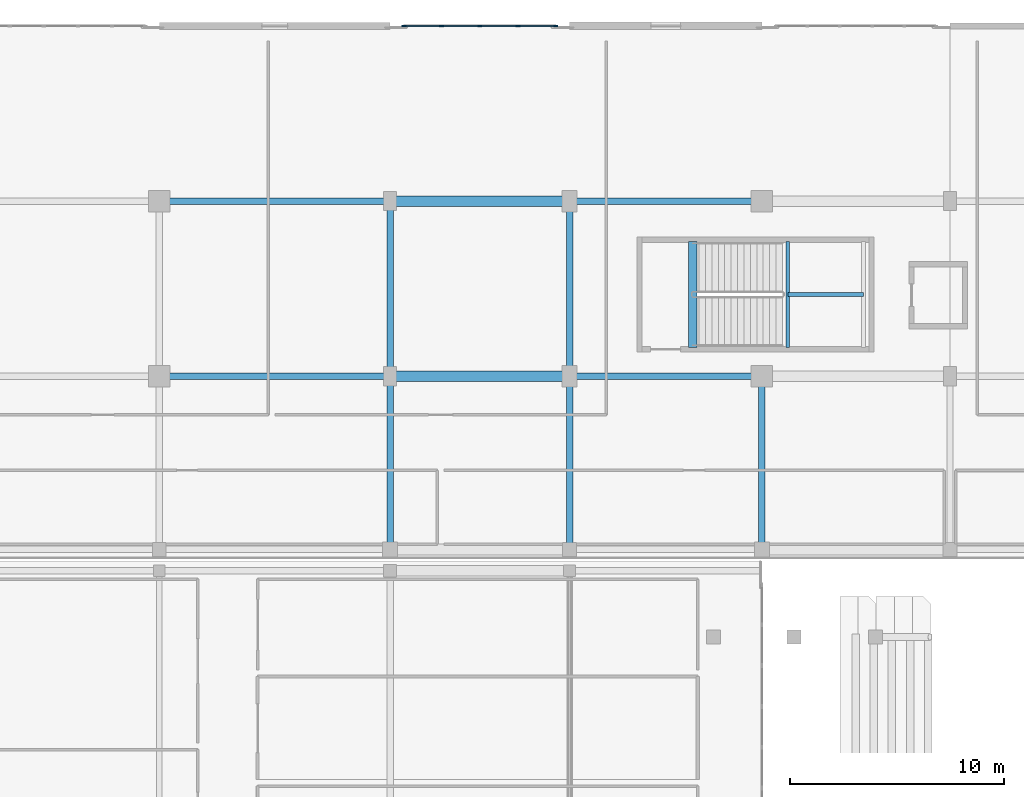
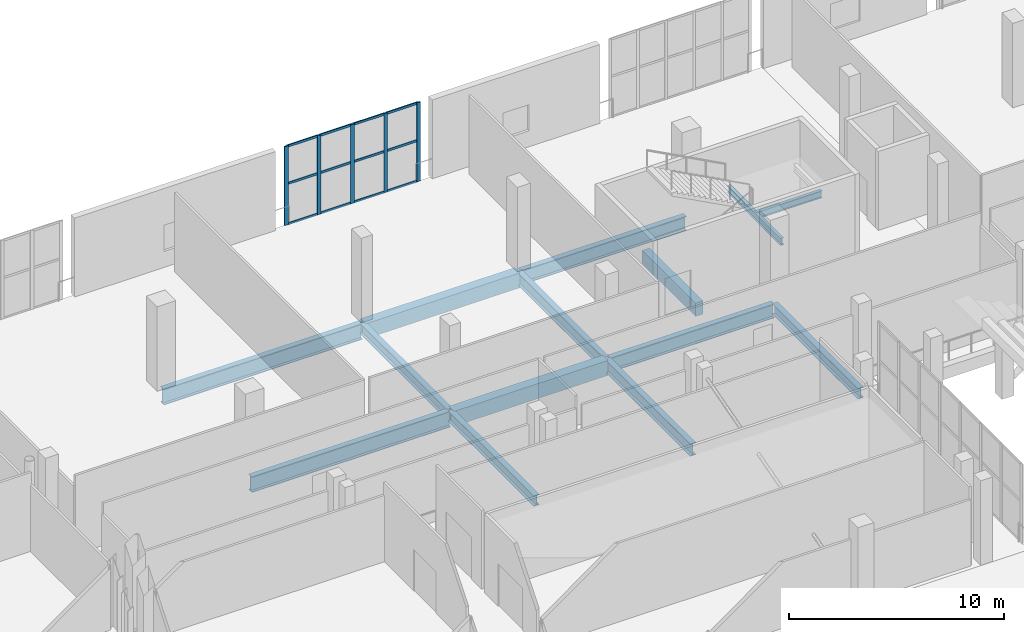
# One storey, part 63 of 142: 17 members, 14 beams, 1 element without a shape of its own.
"""IFC4 building model written with IfcOpenShell, lengths in metres."""

import ifcopenshell
import ifcopenshell.guid

model = None  # the IFC model being written
_history = None  # IfcOwnerHistory: only IFC2X3 demands one
_inside = {}  # id of a spatial element -> (the spatial element, [elements in it])
_under = {}  # id of a project, library or spatial element -> (it, [spatial elements below it])
_declared = {}  # id of a project -> (the project, [libraries it declares])
_typed = {}  # id of a type object -> (the type object, [elements of that type])
_made_of = {}  # id of a material, layer set ... -> (it, [elements and type objects made of it])


def new_model(schema):
    """Start an empty IFC model of exactly this schema.

    Asked for "IFC4X3", IfcOpenShell would pick the latest addendum, in which some entities
    have other attributes; the version numbers below select the first issue.
    IFC2X3 requires an IfcOwnerHistory on every rooted entity: one is made here for all.
    """
    global model, _history
    if schema == "IFC4X3":
        model = ifcopenshell.file(schema_version=(4, 3, 0, 0))
    else:
        model = ifcopenshell.file(schema=schema)
    _inside.clear()
    _under.clear()
    _declared.clear()
    _typed.clear()
    _made_of.clear()
    _history = None
    if model.schema == "IFC2X3":
        org = make("IfcOrganization", Name="unknown")
        user = make(
            "IfcPersonAndOrganization",
            ThePerson=make("IfcPerson", FamilyName="unknown"),
            TheOrganization=org,
        )
        app = make(
            "IfcApplication",
            ApplicationDeveloper=org,
            Version="unknown",
            ApplicationFullName="unknown",
            ApplicationIdentifier="unknown",
        )
        _history = make(
            "IfcOwnerHistory",
            OwningUser=user,
            OwningApplication=app,
            ChangeAction="ADDED",
            CreationDate=0,
        )
    return model


def make(cls, **values):
    """One entity of the class cls with the attributes given. An attribute that is None is left unset."""
    return model.create_entity(
        cls, **{name: value for name, value in values.items() if value is not None}
    )


def rooted(cls, **values):
    """An entity with a GlobalId (a new one), such as an element, a storey or a relation."""
    return make(cls, GlobalId=ifcopenshell.guid.new(), OwnerHistory=_history, **values)


def si_unit(unit_type, name, prefix=None):
    """IfcSIUnit, for example si_unit("LENGTHUNIT", "METRE", prefix="MILLI")."""
    return make("IfcSIUnit", UnitType=unit_type, Prefix=prefix, Name=name)


def assignment(units):
    """IfcUnitAssignment: the units of a project."""
    return None if units is None else make("IfcUnitAssignment", Units=units)


def point(xyz):
    """IfcCartesianPoint."""
    return None if xyz is None else make("IfcCartesianPoint", Coordinates=xyz)


def direction(xyz):
    """IfcDirection."""
    return None if xyz is None else make("IfcDirection", DirectionRatios=xyz)


def frame(location, z_axis=None, x_axis=None):
    """IfcAxis2Placement3D, a coordinate frame: its origin and axes. An axis left out is left unset."""
    return make(
        "IfcAxis2Placement3D",
        Location=point(location),
        Axis=direction(z_axis),
        RefDirection=direction(x_axis),
    )


def frame_2d(location, x_axis=None):
    """IfcAxis2Placement2D, a coordinate frame in the plane: its origin and x axis."""
    return make(
        "IfcAxis2Placement2D", Location=point(location), RefDirection=direction(x_axis)
    )


def origin():
    """The frame at (0, 0, 0) with its axes left unset."""
    return frame((0.0, 0.0, 0.0))


def origin_2d():
    """The frame at (0, 0) in the plane with its x axis left unset."""
    return frame_2d((0.0, 0.0))


def place(relative_to, where):
    """IfcLocalPlacement: puts the frame where relative to a parent placement (None: the world)."""
    return make(
        "IfcLocalPlacement", PlacementRelTo=relative_to, RelativePlacement=where
    )


def context(
    kind, dimensions, precision=None, world=None, true_north=None, identifier=None
):
    """IfcGeometricRepresentationContext, for example the 3D "Model" context."""
    return make(
        "IfcGeometricRepresentationContext",
        ContextIdentifier=identifier,
        ContextType=kind,
        CoordinateSpaceDimension=dimensions,
        Precision=precision,
        WorldCoordinateSystem=world,
        TrueNorth=true_north,
    )


def subcontext(parent, identifier, kind, view, scale=None):
    """IfcGeometricRepresentationSubContext, for example "Body" below "Model"."""
    return make(
        "IfcGeometricRepresentationSubContext",
        ContextIdentifier=identifier,
        ContextType=kind,
        ParentContext=parent,
        TargetScale=scale,
        TargetView=view,
    )


def project(units=None, contexts=None):
    """IfcProject with its units and contexts."""
    return rooted(
        "IfcProject",
        Name="project",
        RepresentationContexts=contexts,
        UnitsInContext=assignment(units),
    )


def spatial(cls, under=None, at=None, **own):
    """A site, building, storey or space (cls), placed at a placement, below another one or the project."""
    s = rooted(cls, ObjectPlacement=at, **own)
    if under is not None:
        _under.setdefault(under.id(), (under, []))[1].append(s)
    return s


def profile(cls, at=None, kind="AREA", **sizes):
    """A parametric profile (cls). Its sizes go by their IFC names, for example OverallWidth=200.0."""
    return make(cls, ProfileType=kind, Position=at, **sizes)


def rectangle(**sizes):
    """IfcRectangleProfileDef."""
    return profile("IfcRectangleProfileDef", **sizes)


def i_section(**sizes):
    """IfcIShapeProfileDef."""
    return profile("IfcIShapeProfileDef", **sizes)


def extrude(swept, where, along, depth):
    """IfcExtrudedAreaSolid: the profile swept, set in the frame where, extruded along a direction by depth."""
    return make(
        "IfcExtrudedAreaSolid",
        SweptArea=swept,
        Position=where,
        ExtrudedDirection=direction(along),
        Depth=depth,
    )


def shape(context_of_items, identifier, shape_type, items):
    """IfcShapeRepresentation: the items that make up one representation, for example the "Body"."""
    return make(
        "IfcShapeRepresentation",
        ContextOfItems=context_of_items,
        RepresentationIdentifier=identifier,
        RepresentationType=shape_type,
        Items=items,
    )


def material(Name=None, Category=None):
    """IfcMaterial."""
    return make("IfcMaterial", Name=Name, Category=Category)


def material_profile(
    of_material, cross_section, Name=None, Category=None, Priority=None
):
    """IfcMaterialProfile: a cross section and its material."""
    return make(
        "IfcMaterialProfile",
        Name=Name,
        Material=of_material,
        Profile=cross_section,
        Priority=Priority,
        Category=Category,
    )


def profile_set(profiles, Name=None, composite=None):
    """IfcMaterialProfileSet."""
    return make(
        "IfcMaterialProfileSet",
        Name=Name,
        MaterialProfiles=profiles,
        CompositeProfile=composite,
    )


def made_of(thing, what):
    """Note that an element or type object is made of a material, layer set ...; save() writes the relation."""
    if what is not None:
        _made_of.setdefault(what.id(), (what, []))[1].append(thing)
    return thing


def type_object(cls, material=None, **own):
    """A type object (cls), such as IfcWallType, which elements share."""
    return made_of(rooted(cls, **own), material)


def element(
    cls,
    number,
    at=None,
    inside=None,
    cuts=None,
    type_object=None,
    material=None,
    context=None,
    identifier="Body",
    shape_type=None,
    held_by="IfcProductDefinitionShape",
    body=None,
    shapes=None,
    **own,
):
    """One element of the class cls, such as IfcWall. Its Tag is "e" and its number.

    at: its placement. inside: the storey or other place that contains it. cuts: it is an
    opening in that element (IfcRelVoidsElement). A single representation is given by context,
    identifier, shape_type and body (its items); several are given by shapes. held_by: the class
    of the entity that holds the representations. save() writes the other relations.
    """
    e = rooted(cls, Tag="e%d" % number, ObjectPlacement=at, **own)
    if body is not None:
        shapes = [shape(context, identifier, shape_type, body)]
    if shapes is not None:
        e.Representation = make(held_by, Representations=shapes)
    if inside is not None:
        _inside.setdefault(inside.id(), (inside, []))[1].append(e)
    if cuts is not None:
        rooted(
            "IfcRelVoidsElement", RelatingBuildingElement=cuts, RelatedOpeningElement=e
        )
    if type_object is not None:
        _typed.setdefault(type_object.id(), (type_object, []))[1].append(e)
    return made_of(e, material)


def aggregate(whole, parts):
    """IfcRelAggregates: a whole, such as a stair, and the parts it consists of."""
    return rooted("IfcRelAggregates", RelatingObject=whole, RelatedObjects=parts)


def save(model, path):
    """Write the relations noted so far, then the file.

    IfcRelAggregates (storeys below a building ...), IfcRelContainedInSpatialStructure (elements
    in a storey), IfcRelDefinesByType, IfcRelAssociatesMaterial and IfcRelDeclares: one each for
    every whole, place, type object, material and project.
    """
    for whole, parts in _under.values():
        aggregate(whole, parts)
    for where, things in _inside.values():
        rooted(
            "IfcRelContainedInSpatialStructure",
            RelatedElements=things,
            RelatingStructure=where,
        )
    for kind, things in _typed.values():
        rooted("IfcRelDefinesByType", RelatedObjects=things, RelatingType=kind)
    for what, things in _made_of.values():
        rooted("IfcRelAssociatesMaterial", RelatedObjects=things, RelatingMaterial=what)
    for by, libraries in _declared.values():
        rooted("IfcRelDeclares", RelatingContext=by, RelatedDefinitions=libraries)
    model.write(path)


model = new_model("IFC4")

# Units and contexts
model_context = context("Model", 3, precision=1e-05, world=origin(), true_north=direction((0.0, 1.0)))
body_context = subcontext(model_context, "Body", "Model", "MODEL_VIEW")
ifc_project = project(units=[si_unit("LENGTHUNIT", "METRE"), si_unit("AREAUNIT", "SQUARE_METRE"), si_unit("VOLUMEUNIT", "CUBIC_METRE"), si_unit("PLANEANGLEUNIT", "RADIAN"), si_unit("MASSUNIT", "GRAM", prefix="KILO")], contexts=[model_context])

# Site, building, storey
site_placement = place(None, origin())
site = spatial("IfcSite", under=ifc_project, at=site_placement, CompositionType="ELEMENT")
building_placement = place(site_placement, origin())
building = spatial("IfcBuilding", under=site, at=building_placement, Name="Koshinbarg Plaza Stadium", CompositionType="ELEMENT")
storey_placement = place(building_placement, frame((0.0, 0.0, 10.199951171875)))
storey = spatial("IfcBuildingStorey", under=building, at=storey_placement, Name="L02", CompositionType="ELEMENT", Elevation=10.199951171875)

# Beams
ifc_material_1 = material(Name="Concrete C40/50", Category="concrete")
ifc_material_profile_1 = material_profile(ifc_material_1, rectangle(XDim=0.39990234375, YDim=0.75, at=origin_2d()), Name="RC 400x750")
ifc_profile_set_1 = profile_set([ifc_material_profile_1], Name="Concrete C40/50")
beam_type_1 = type_object("IfcBeamType", Name="BM-RCG-03", PredefinedType="USERDEFINED", material=ifc_profile_set_1)
beam_1_placement = place(storey_placement, frame((60.360107421875, 136.949951171875, -0.375), z_axis=(0.0, 1.0, 0.0), x_axis=(-1.0, 0.0, 0.0)))
element("IfcBeam", 1, at=beam_1_placement, inside=storey, type_object=beam_type_1, Name="L02 stair landing header beam C11", ObjectType="GIRDER", PredefinedType="USERDEFINED", context=body_context, shape_type="SweptSolid", body=[
    extrude(rectangle(XDim=0.39990234375, YDim=0.75, at=origin_2d()), origin(), (0.0, 0.0, 1.0), 4.969970703125),
])
ifc_material_profile_2 = material_profile(ifc_material_1, rectangle(XDim=0.5, YDim=0.85009765625, at=origin_2d()), Name="RC 500x850")
ifc_profile_set_2 = profile_set([ifc_material_profile_2], Name="Concrete C40/50")
beam_type_2 = type_object("IfcBeamType", Name="BM-RCG-05", PredefinedType="USERDEFINED", material=ifc_profile_set_2)
for number, where, z_axis, x_axis, name in (
    (2, (46.260009765625, 135.60009765625, -0.724853515625), (1.0, 0.0, 0.0), (0.0, 1.0, 0.0), "L02 X girder T/7-8"),
    (3, (46.260009765625, 143.800048828125, -0.724853515625), (1.0, 0.0, 0.0), (0.0, 1.0, 0.0), "L02 X girder U/7-8"),
):
    element("IfcBeam", number, at=place(storey_placement, frame(where, z_axis=z_axis, x_axis=x_axis)), inside=storey, type_object=beam_type_2, Name=name, ObjectType="GIRDER", PredefinedType="USERDEFINED", context=body_context, shape_type="SweptSolid", body=[
        extrude(rectangle(XDim=0.5, YDim=0.85009765625, at=origin_2d()), origin(), (0.0, 0.0, 1.0), 8.280029296875),
    ])
ifc_material_2 = material(Name="Steel S355", Category="steel")
ifc_material_profile_3 = material_profile(ifc_material_2, i_section(OverallWidth=0.179931640625, OverallDepth=0.39990234375, WebThickness=0.008544921875, FlangeThickness=0.013427734375, at=origin_2d()), Name="IPE 400")
ifc_profile_set_3 = profile_set([ifc_material_profile_3], Name="Steel S355")
beam_type_3 = type_object("IfcBeamType", Name="BM-SBM-01", PredefinedType="BEAM", material=ifc_profile_set_3)
beam_2_placement = place(storey_placement, frame((64.81005859375, 136.949951171875, 1.880126953125), z_axis=(0.0, 1.0, 0.0), x_axis=(-1.0, 0.0, 0.0)))
element("IfcBeam", 4, at=beam_2_placement, inside=storey, type_object=beam_type_3, Name="L02 Protected Exit Stair C11 landing trimmer beam 1", PredefinedType="BEAM", context=body_context, shape_type="SweptSolid", body=[
    extrude(i_section(OverallWidth=0.179931640625, OverallDepth=0.39990234375, WebThickness=0.008544921875, FlangeThickness=0.013427734375, at=origin_2d()), origin(), (0.0, 0.0, 1.0), 4.969970703125),
])
beam_3_placement = place(storey_placement, frame((64.81005859375, 139.43505859375, 1.880126953125), z_axis=(1.0, 0.0, 0.0), x_axis=(0.0, 1.0, 0.0)))
element("IfcBeam", 5, at=beam_3_placement, inside=storey, type_object=beam_type_3, Name="L02 Protected Exit Stair C11 landing trimmer beam 3", PredefinedType="BEAM", context=body_context, shape_type="SweptSolid", body=[
    extrude(i_section(OverallWidth=0.179931640625, OverallDepth=0.39990234375, WebThickness=0.008544921875, FlangeThickness=0.013427734375, at=origin_2d()), origin(), (0.0, 0.0, 1.0), 3.5400390625),
])
ifc_material_profile_4 = material_profile(ifc_material_2, i_section(OverallWidth=0.300048828125, OverallDepth=0.60009765625, WebThickness=0.015380859375, FlangeThickness=0.030029296875, at=origin_2d()), Name="HEB 600")
ifc_profile_set_4 = profile_set([ifc_material_profile_4], Name="Steel S355")
beam_type_4 = type_object("IfcBeamType", Name="BM-SGIR-02", PredefinedType="USERDEFINED", material=ifc_profile_set_4)
beam_4_placement = place(storey_placement, frame((46.199951171875, 127.56005859375, -0.599853515625), z_axis=(0.0, 1.0, 0.0), x_axis=(-1.0, 0.0, 0.0)))
element("IfcBeam", 6, at=beam_4_placement, inside=storey, type_object=beam_type_4, Name="L02 Y girder 7/S-T", ObjectType="GIRDER", PredefinedType="USERDEFINED", context=body_context, shape_type="SweptSolid", body=[
    extrude(i_section(OverallWidth=0.300048828125, OverallDepth=0.60009765625, WebThickness=0.015380859375, FlangeThickness=0.030029296875, at=origin_2d()), origin(), (0.0, 0.0, 1.0), 7.97998046875),
])
beam_5_placement = place(storey_placement, frame((46.199951171875, 135.659912109375, -0.599853515625), z_axis=(0.0, 1.0, 0.0), x_axis=(-1.0, 0.0, 0.0)))
element("IfcBeam", 7, at=beam_5_placement, inside=storey, type_object=beam_type_4, Name="L02 Y girder 7/T-U", ObjectType="GIRDER", PredefinedType="USERDEFINED", context=body_context, shape_type="SweptSolid", body=[
    extrude(i_section(OverallWidth=0.300048828125, OverallDepth=0.60009765625, WebThickness=0.015380859375, FlangeThickness=0.030029296875, at=origin_2d()), origin(), (0.0, 0.0, 1.0), 8.080078125),
])
beam_6_placement = place(storey_placement, frame((63.60009765625, 127.56005859375, -0.599853515625), z_axis=(0.0, 1.0, 0.0), x_axis=(-1.0, 0.0, 0.0)))
element("IfcBeam", 8, at=beam_6_placement, inside=storey, type_object=beam_type_4, Name="L02 Y girder 9/S-T", ObjectType="GIRDER", PredefinedType="USERDEFINED", context=body_context, shape_type="SweptSolid", body=[
    extrude(i_section(OverallWidth=0.300048828125, OverallDepth=0.60009765625, WebThickness=0.015380859375, FlangeThickness=0.030029296875, at=origin_2d()), origin(), (0.0, 0.0, 1.0), 7.97998046875),
])
ifc_material_profile_5 = material_profile(ifc_material_2, i_section(OverallWidth=0.300048828125, OverallDepth=0.699951171875, WebThickness=0.01708984375, FlangeThickness=0.031982421875, at=origin_2d()), Name="HEB 700")
ifc_profile_set_5 = profile_set([ifc_material_profile_5], Name="Steel S355")
beam_type_5 = type_object("IfcBeamType", Name="BM-SGIR-03", PredefinedType="USERDEFINED", material=ifc_profile_set_5)
beam_7_placement = place(storey_placement, frame((54.60009765625, 127.56005859375, -0.64990234375), z_axis=(0.0, 1.0, 0.0), x_axis=(-1.0, 0.0, 0.0)))
element("IfcBeam", 9, at=beam_7_placement, inside=storey, type_object=beam_type_5, Name="L02 Y girder 8/S-T", ObjectType="GIRDER", PredefinedType="USERDEFINED", context=body_context, shape_type="SweptSolid", body=[
    extrude(i_section(OverallWidth=0.300048828125, OverallDepth=0.699951171875, WebThickness=0.01708984375, FlangeThickness=0.031982421875, at=origin_2d()), origin(), (0.0, 0.0, 1.0), 7.97998046875),
])
beam_8_placement = place(storey_placement, frame((54.60009765625, 135.659912109375, -0.64990234375), z_axis=(0.0, 1.0, 0.0), x_axis=(-1.0, 0.0, 0.0)))
element("IfcBeam", 10, at=beam_8_placement, inside=storey, type_object=beam_type_5, Name="L02 Y girder 8/T-U", ObjectType="GIRDER", PredefinedType="USERDEFINED", context=body_context, shape_type="SweptSolid", body=[
    extrude(i_section(OverallWidth=0.300048828125, OverallDepth=0.699951171875, WebThickness=0.01708984375, FlangeThickness=0.031982421875, at=origin_2d()), origin(), (0.0, 0.0, 1.0), 8.080078125),
])
ifc_material_profile_6 = material_profile(ifc_material_2, i_section(OverallWidth=0.300048828125, OverallDepth=0.800048828125, WebThickness=0.017578125, FlangeThickness=0.032958984375, at=origin_2d()), Name="HEB 800")
ifc_profile_set_6 = profile_set([ifc_material_profile_6], Name="Steel S355")
beam_type_6 = type_object("IfcBeamType", Name="BM-SGIR-04", PredefinedType="USERDEFINED", material=ifc_profile_set_6)
for number, where, z_axis, x_axis, name in (
    (11, (54.659912109375, 135.60009765625, -0.699951171875), (1.0, 0.0, 0.0), (0.0, 1.0, 0.0), "L02 X girder T/8-9"),
    (12, (54.659912109375, 143.800048828125, -0.699951171875), (1.0, 0.0, 0.0), (0.0, 1.0, 0.0), "L02 X girder U/8-9"),
):
    element("IfcBeam", number, at=place(storey_placement, frame(where, z_axis=z_axis, x_axis=x_axis)), inside=storey, type_object=beam_type_6, Name=name, ObjectType="GIRDER", PredefinedType="USERDEFINED", context=body_context, shape_type="SweptSolid", body=[
        extrude(i_section(OverallWidth=0.300048828125, OverallDepth=0.800048828125, WebThickness=0.017578125, FlangeThickness=0.032958984375, at=origin_2d()), origin(), (0.0, 0.0, 1.0), 8.880126953125),
    ])
ifc_material_profile_7 = material_profile(ifc_material_2, i_section(OverallWidth=0.300048828125, OverallDepth=0.89990234375, WebThickness=0.0185546875, FlangeThickness=0.034912109375, at=origin_2d()), Name="HEB 900")
ifc_profile_set_7 = profile_set([ifc_material_profile_7], Name="Steel S355")
beam_type_7 = type_object("IfcBeamType", Name="BM-SGIR-05", PredefinedType="USERDEFINED", material=ifc_profile_set_7)
for number, where, z_axis, x_axis, name in (
    (13, (35.4599609375, 135.60009765625, -0.75), (1.0, 0.0, 0.0), (0.0, 1.0, 0.0), "L02 X girder T/6-7"),
    (14, (35.4599609375, 143.800048828125, -0.75), (1.0, 0.0, 0.0), (0.0, 1.0, 0.0), "L02 X girder U/6-7"),
):
    element("IfcBeam", number, at=place(storey_placement, frame(where, z_axis=z_axis, x_axis=x_axis)), inside=storey, type_object=beam_type_7, Name=name, ObjectType="GIRDER", PredefinedType="USERDEFINED", context=body_context, shape_type="SweptSolid", body=[
        extrude(i_section(OverallWidth=0.300048828125, OverallDepth=0.89990234375, WebThickness=0.0185546875, FlangeThickness=0.034912109375, at=origin_2d()), origin(), (0.0, 0.0, 1.0), 10.679931640625),
    ])

# Curtain wall, members
ifc_material_3 = material(Name="Thermally broken anodised aluminium and low-E double glazing", Category="aluminium")
curtain_wall_type = type_object("IfcCurtainWallType", Name="CW-SYS-16", PredefinedType="NOTDEFINED", material=ifc_material_3)
curtain_wall_placement = place(storey_placement, origin())
curtain_wall = element("IfcCurtainWall", 15, at=curtain_wall_placement, inside=storey, type_object=curtain_wall_type, Name="L02 unitised curtain wall CW-L02-047", PredefinedType="NOTDEFINED")
ifc_material_4 = material(Name="Anodised aluminium mullion", Category="aluminium")
ifc_material_profile_8 = material_profile(ifc_material_4, rectangle(XDim=0.070068359375, YDim=0.199951171875, at=origin_2d()), Name="ALU 70x200")
ifc_profile_set_8 = profile_set([ifc_material_profile_8], Name="Anodised aluminium mullion")
member_type_1 = type_object("IfcMemberType", Name="CW-MUL-04", PredefinedType="MULLION", material=ifc_profile_set_8)
member_1_placement = place(storey_placement, frame((46.85009765625, 152.0, 0.0), z_axis=(0.0, 0.0, 1.0), x_axis=(0.0, 1.0, 0.0)))
member_1 = element("IfcMember", 16, at=member_1_placement, type_object=member_type_1, Name="CW16 mullion 1", PredefinedType="MULLION", context=body_context, shape_type="SweptSolid", body=[
    extrude(rectangle(XDim=0.070068359375, YDim=0.199951171875, at=origin_2d()), origin(), (0.0, 0.0, 1.0), 4.47998046875),
])
member_2_placement = place(storey_placement, frame((48.610107421875, 152.0, 0.0), z_axis=(0.0, 0.0, 1.0), x_axis=(0.0, 1.0, 0.0)))
member_2 = element("IfcMember", 17, at=member_2_placement, type_object=member_type_1, Name="CW16 mullion 2", PredefinedType="MULLION", context=body_context, shape_type="SweptSolid", body=[
    extrude(rectangle(XDim=0.070068359375, YDim=0.199951171875, at=origin_2d()), origin(), (0.0, 0.0, 1.0), 4.47998046875),
])
member_3_placement = place(storey_placement, frame((50.39990234375, 152.0, 0.0), z_axis=(0.0, 0.0, 1.0), x_axis=(0.0, 1.0, 0.0)))
member_3 = element("IfcMember", 18, at=member_3_placement, type_object=member_type_1, Name="CW16 mullion 3", PredefinedType="MULLION", context=body_context, shape_type="SweptSolid", body=[
    extrude(rectangle(XDim=0.070068359375, YDim=0.199951171875, at=origin_2d()), origin(), (0.0, 0.0, 1.0), 4.47998046875),
])
member_4_placement = place(storey_placement, frame((52.18994140625, 152.0, 0.0), z_axis=(0.0, 0.0, 1.0), x_axis=(0.0, 1.0, 0.0)))
member_4 = element("IfcMember", 19, at=member_4_placement, type_object=member_type_1, Name="CW16 mullion 4", PredefinedType="MULLION", context=body_context, shape_type="SweptSolid", body=[
    extrude(rectangle(XDim=0.070068359375, YDim=0.199951171875, at=origin_2d()), origin(), (0.0, 0.0, 1.0), 4.47998046875),
])
member_5_placement = place(storey_placement, frame((53.949951171875, 152.0, 0.0), z_axis=(0.0, 0.0, 1.0), x_axis=(0.0, 1.0, 0.0)))
member_5 = element("IfcMember", 20, at=member_5_placement, type_object=member_type_1, Name="CW16 mullion 5", PredefinedType="MULLION", context=body_context, shape_type="SweptSolid", body=[
    extrude(rectangle(XDim=0.070068359375, YDim=0.199951171875, at=origin_2d()), origin(), (0.0, 0.0, 1.0), 4.47998046875),
])
ifc_material_5 = material(Name="Anodised aluminium transom", Category="aluminium")
ifc_material_profile_9 = material_profile(ifc_material_5, rectangle(XDim=0.06005859375, YDim=0.1298828125, at=origin_2d()), Name="ALU 60x130")
ifc_profile_set_9 = profile_set([ifc_material_profile_9], Name="Anodised aluminium transom")
member_type_2 = type_object("IfcMemberType", Name="CW-TRN-02", PredefinedType="USERDEFINED", material=ifc_profile_set_9)
member_6_placement = place(storey_placement, frame((46.8798828125, 152.0, 0.030029296875), z_axis=(1.0, 0.0, 0.0), x_axis=(0.0, 1.0, 0.0)))
member_6 = element("IfcMember", 21, at=member_6_placement, type_object=member_type_2, Name="CW16 transom 1.1", ObjectType="TRANSOM", PredefinedType="USERDEFINED", context=body_context, shape_type="SweptSolid", body=[
    extrude(rectangle(XDim=0.06005859375, YDim=0.1298828125, at=origin_2d()), origin(), (0.0, 0.0, 1.0), 1.7001953125),
])
member_7_placement = place(storey_placement, frame((46.8798828125, 152.0, 2.32958984375), z_axis=(1.0, 0.0, 0.0), x_axis=(0.0, 1.0, 0.0)))
member_7 = element("IfcMember", 22, at=member_7_placement, type_object=member_type_2, Name="CW16 transom 1.2", ObjectType="TRANSOM", PredefinedType="USERDEFINED", context=body_context, shape_type="SweptSolid", body=[
    extrude(rectangle(XDim=0.06005859375, YDim=0.1298828125, at=origin_2d()), origin(), (0.0, 0.0, 1.0), 1.7001953125),
])
member_8_placement = place(storey_placement, frame((46.8798828125, 152.0, 4.449951171875), z_axis=(1.0, 0.0, 0.0), x_axis=(0.0, 1.0, 0.0)))
member_8 = element("IfcMember", 23, at=member_8_placement, type_object=member_type_2, Name="CW16 transom 1.3", ObjectType="TRANSOM", PredefinedType="USERDEFINED", context=body_context, shape_type="SweptSolid", body=[
    extrude(rectangle(XDim=0.06005859375, YDim=0.1298828125, at=origin_2d()), origin(), (0.0, 0.0, 1.0), 1.7001953125),
])
member_9_placement = place(storey_placement, frame((48.639892578125, 152.0, 0.030029296875), z_axis=(1.0, 0.0, 0.0), x_axis=(0.0, 1.0, 0.0)))
member_9 = element("IfcMember", 24, at=member_9_placement, type_object=member_type_2, Name="CW16 transom 2.1", ObjectType="TRANSOM", PredefinedType="USERDEFINED", context=body_context, shape_type="SweptSolid", body=[
    extrude(rectangle(XDim=0.06005859375, YDim=0.1298828125, at=origin_2d()), origin(), (0.0, 0.0, 1.0), 1.730224609375),
])
member_10_placement = place(storey_placement, frame((48.639892578125, 152.0, 2.32958984375), z_axis=(1.0, 0.0, 0.0), x_axis=(0.0, 1.0, 0.0)))
member_10 = element("IfcMember", 25, at=member_10_placement, type_object=member_type_2, Name="CW16 transom 2.2", ObjectType="TRANSOM", PredefinedType="USERDEFINED", context=body_context, shape_type="SweptSolid", body=[
    extrude(rectangle(XDim=0.06005859375, YDim=0.1298828125, at=origin_2d()), origin(), (0.0, 0.0, 1.0), 1.730224609375),
])
member_11_placement = place(storey_placement, frame((48.639892578125, 152.0, 4.449951171875), z_axis=(1.0, 0.0, 0.0), x_axis=(0.0, 1.0, 0.0)))
member_11 = element("IfcMember", 26, at=member_11_placement, type_object=member_type_2, Name="CW16 transom 2.3", ObjectType="TRANSOM", PredefinedType="USERDEFINED", context=body_context, shape_type="SweptSolid", body=[
    extrude(rectangle(XDim=0.06005859375, YDim=0.1298828125, at=origin_2d()), origin(), (0.0, 0.0, 1.0), 1.730224609375),
])
member_12_placement = place(storey_placement, frame((50.429931640625, 152.0, 0.030029296875), z_axis=(1.0, 0.0, 0.0), x_axis=(0.0, 1.0, 0.0)))
member_12 = element("IfcMember", 27, at=member_12_placement, type_object=member_type_2, Name="CW16 transom 3.1", ObjectType="TRANSOM", PredefinedType="USERDEFINED", context=body_context, shape_type="SweptSolid", body=[
    extrude(rectangle(XDim=0.06005859375, YDim=0.1298828125, at=origin_2d()), origin(), (0.0, 0.0, 1.0), 1.72998046875),
])
member_13_placement = place(storey_placement, frame((50.429931640625, 152.0, 2.32958984375), z_axis=(1.0, 0.0, 0.0), x_axis=(0.0, 1.0, 0.0)))
member_13 = element("IfcMember", 28, at=member_13_placement, type_object=member_type_2, Name="CW16 transom 3.2", ObjectType="TRANSOM", PredefinedType="USERDEFINED", context=body_context, shape_type="SweptSolid", body=[
    extrude(rectangle(XDim=0.06005859375, YDim=0.1298828125, at=origin_2d()), origin(), (0.0, 0.0, 1.0), 1.72998046875),
])
member_14_placement = place(storey_placement, frame((50.429931640625, 152.0, 4.449951171875), z_axis=(1.0, 0.0, 0.0), x_axis=(0.0, 1.0, 0.0)))
member_14 = element("IfcMember", 29, at=member_14_placement, type_object=member_type_2, Name="CW16 transom 3.3", ObjectType="TRANSOM", PredefinedType="USERDEFINED", context=body_context, shape_type="SweptSolid", body=[
    extrude(rectangle(XDim=0.06005859375, YDim=0.1298828125, at=origin_2d()), origin(), (0.0, 0.0, 1.0), 1.72998046875),
])
member_15_placement = place(storey_placement, frame((52.219970703125, 152.0, 0.030029296875), z_axis=(1.0, 0.0, 0.0), x_axis=(0.0, 1.0, 0.0)))
member_15 = element("IfcMember", 30, at=member_15_placement, type_object=member_type_2, Name="CW16 transom 4.1", ObjectType="TRANSOM", PredefinedType="USERDEFINED", context=body_context, shape_type="SweptSolid", body=[
    extrude(rectangle(XDim=0.06005859375, YDim=0.1298828125, at=origin_2d()), origin(), (0.0, 0.0, 1.0), 1.699951171875),
])
member_16_placement = place(storey_placement, frame((52.219970703125, 152.0, 2.32958984375), z_axis=(1.0, 0.0, 0.0), x_axis=(0.0, 1.0, 0.0)))
member_16 = element("IfcMember", 31, at=member_16_placement, type_object=member_type_2, Name="CW16 transom 4.2", ObjectType="TRANSOM", PredefinedType="USERDEFINED", context=body_context, shape_type="SweptSolid", body=[
    extrude(rectangle(XDim=0.06005859375, YDim=0.1298828125, at=origin_2d()), origin(), (0.0, 0.0, 1.0), 1.699951171875),
])
member_17_placement = place(storey_placement, frame((52.219970703125, 152.0, 4.449951171875), z_axis=(1.0, 0.0, 0.0), x_axis=(0.0, 1.0, 0.0)))
member_17 = element("IfcMember", 32, at=member_17_placement, type_object=member_type_2, Name="CW16 transom 4.3", ObjectType="TRANSOM", PredefinedType="USERDEFINED", context=body_context, shape_type="SweptSolid", body=[
    extrude(rectangle(XDim=0.06005859375, YDim=0.1298828125, at=origin_2d()), origin(), (0.0, 0.0, 1.0), 1.699951171875),
])
aggregate(curtain_wall, [member_1, member_2, member_3, member_4, member_5, member_6, member_7, member_8, member_9, member_10, member_11, member_12, member_13, member_14, member_15, member_16, member_17])

save(model, "model.ifc")
